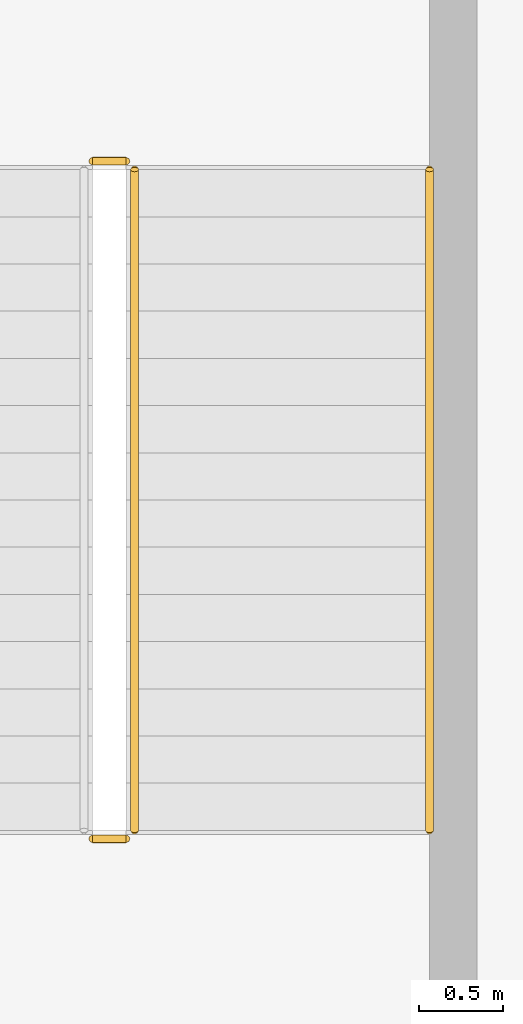
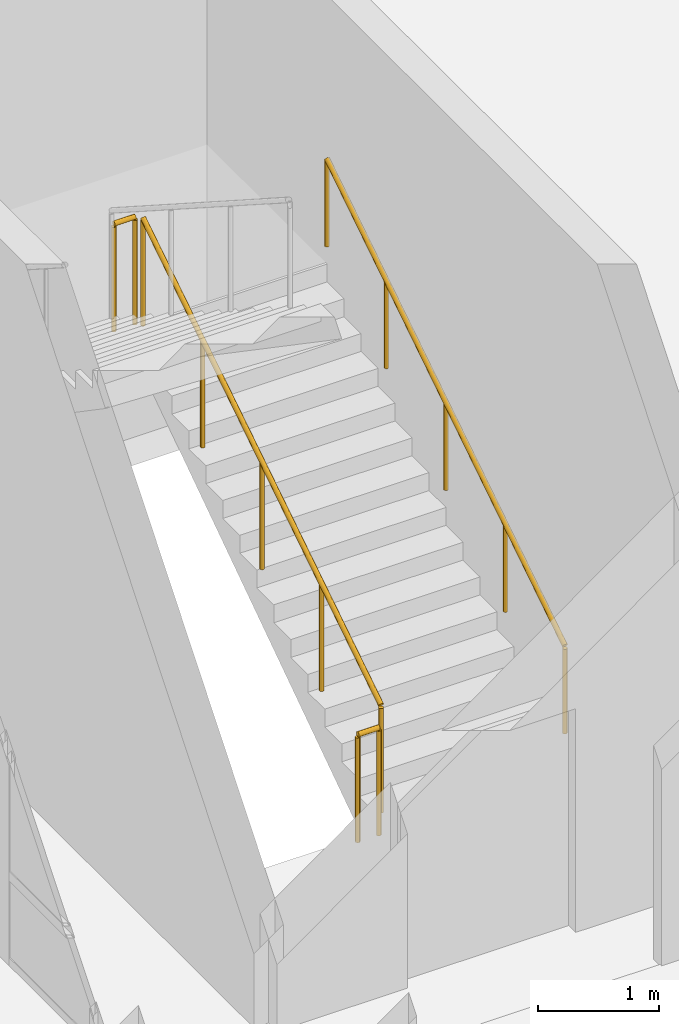
# One storey, part 144 of 167: 4 railings.
"""IFC4 building model written with IfcOpenShell, lengths in metres."""

from ifc_helpers import new_model, si_unit, direction, frame, origin, origin_2d, place, context, subcontext, project, spatial, circle, extrude, material, type_object, element, save


model = new_model("IFC4")

# Units and contexts
model_context = context("Model", 3, precision=1e-05, world=origin(), true_north=direction((0.0, 1.0)))
body_context = subcontext(model_context, "Body", "Model", "MODEL_VIEW")
ifc_project = project(units=[si_unit("LENGTHUNIT", "METRE"), si_unit("AREAUNIT", "SQUARE_METRE"), si_unit("VOLUMEUNIT", "CUBIC_METRE"), si_unit("PLANEANGLEUNIT", "RADIAN"), si_unit("MASSUNIT", "GRAM", prefix="KILO")], contexts=[model_context])

# Site, building, storey
site_placement = place(None, origin())
site = spatial("IfcSite", under=ifc_project, at=site_placement, CompositionType="ELEMENT")
building_placement = place(site_placement, origin())
building = spatial("IfcBuilding", under=site, at=building_placement, Name="Varncliffe General Hospital", CompositionType="ELEMENT")
storey_placement = place(building_placement, origin())
storey = spatial("IfcBuildingStorey", under=building, at=storey_placement, Name="L00", CompositionType="ELEMENT", Elevation=0.0)

# Railings
ifc_material = material(Name="Powder-coated hospital steel guardrail and handrail", Category="steel")
railing_type_1 = type_object("IfcRailingType", Name="Stair and Ramp Handrail HR46", PredefinedType="HANDRAIL", material=ifc_material)
railing_1_placement = place(storey_placement, frame((64.14990234375, 17.60009765625, 0.364013671875)))
element("IfcRailing", 1, at=railing_1_placement, inside=storey, type_object=railing_type_1, Name="L00 ST09 stair handrail 1", PredefinedType="HANDRAIL", context=body_context, shape_type="SweptSolid", body=[
    extrude(circle(Radius=0.02392578125, at=origin_2d()), frame((0.0, 0.0, 0.8759765625), z_axis=(0.0, 0.841171666519, 0.540768182723), x_axis=(-1.0, 0.0, 0.0)), (0.0, 0.0, 1.0), 4.66015625),
    extrude(circle(Radius=0.02099609375, at=origin_2d()), origin(), (0.0, 0.0, 1.0), 0.851806640625),
    extrude(circle(Radius=0.02099609375, at=origin_2d()), frame((0.0, 0.97998046875, 0.6298828125)), (0.0, 0.0, 1.0), 0.851806640625),
    extrude(circle(Radius=0.02099609375, at=origin_2d()), frame((0.0, 1.9599609375, 1.260009765625)), (0.0, 0.0, 1.0), 0.851806640625),
    extrude(circle(Radius=0.02099609375, at=origin_2d()), frame((0.0, 2.93994140625, 1.89013671875)), (0.0, 0.0, 1.0), 0.851806640625),
    extrude(circle(Radius=0.02099609375, at=origin_2d()), frame((0.0, 3.919921875, 2.52001953125)), (0.0, 0.0, 1.0), 0.851806640625),
])
railing_type_2 = type_object("IfcRailingType", Name="Stairwell Guardrail SG49", PredefinedType="GUARDRAIL", material=ifc_material)
railing_2_placement = place(storey_placement, frame((62.39990234375, 17.60009765625, 0.179931640625)))
element("IfcRailing", 2, at=railing_2_placement, inside=storey, type_object=railing_type_2, Name="L00 ST09 stair guard 1", PredefinedType="GUARDRAIL", context=body_context, shape_type="SweptSolid", body=[
    extrude(circle(Radius=0.02392578125, at=origin_2d()), frame((0.0, 0.0, 1.076171875), z_axis=(0.0, 0.841171666519, 0.540768182723), x_axis=(-1.0, 0.0, 0.0)), (0.0, 0.0, 1.0), 4.66015625),
    extrude(circle(Radius=0.02099609375, at=origin_2d()), origin(), (0.0, 0.0, 1.0), 1.052001953125),
    extrude(circle(Radius=0.02099609375, at=origin_2d()), frame((0.0, 0.97998046875, 0.6298828125)), (0.0, 0.0, 1.0), 1.052001953125),
    extrude(circle(Radius=0.02099609375, at=origin_2d()), frame((0.0, 1.9599609375, 1.260009765625)), (0.0, 0.0, 1.0), 1.052001953125),
    extrude(circle(Radius=0.02099609375, at=origin_2d()), frame((0.0, 2.93994140625, 1.89013671875)), (0.0, 0.0, 1.0), 1.052001953125),
    extrude(circle(Radius=0.02099609375, at=origin_2d()), frame((0.0, 3.919921875, 2.52001953125)), (0.0, 0.0, 1.0), 1.052001953125),
])
for number, where, name in (
    (3, (62.35009765625, 21.570068359375, 2.699951171875), "L00 ST09 stair guard 2"),
    (4, (62.35009765625, 17.550048828125, 0.0), "L00 ST09 stair guard 4"),
):
    element("IfcRailing", number, at=place(storey_placement, frame(where)), inside=storey, type_object=railing_type_2, Name=name, PredefinedType="GUARDRAIL", context=body_context, shape_type="SweptSolid", body=[
        extrude(circle(Radius=0.02392578125, at=origin_2d()), frame((0.0, 0.0, 1.076171875), z_axis=(-1.0, 0.0, 0.0), x_axis=(0.0, -1.0, 0.0)), (0.0, 0.0, 1.0), 0.2001953125),
        extrude(circle(Radius=0.02099609375, at=origin_2d()), origin(), (0.0, 0.0, 1.0), 1.052001953125),
        extrude(circle(Radius=0.02099609375, at=origin_2d()), frame((-0.2001953125, 0.0, 0.0)), (0.0, 0.0, 1.0), 1.052001953125),
    ])

save(model, "model.ifc")
